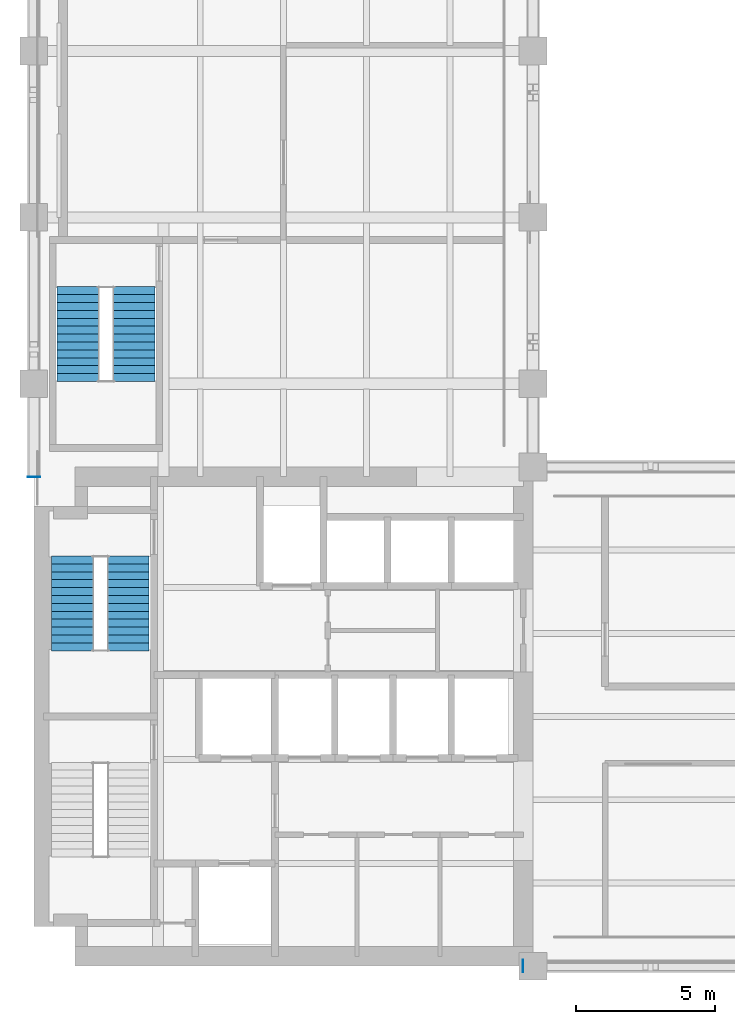
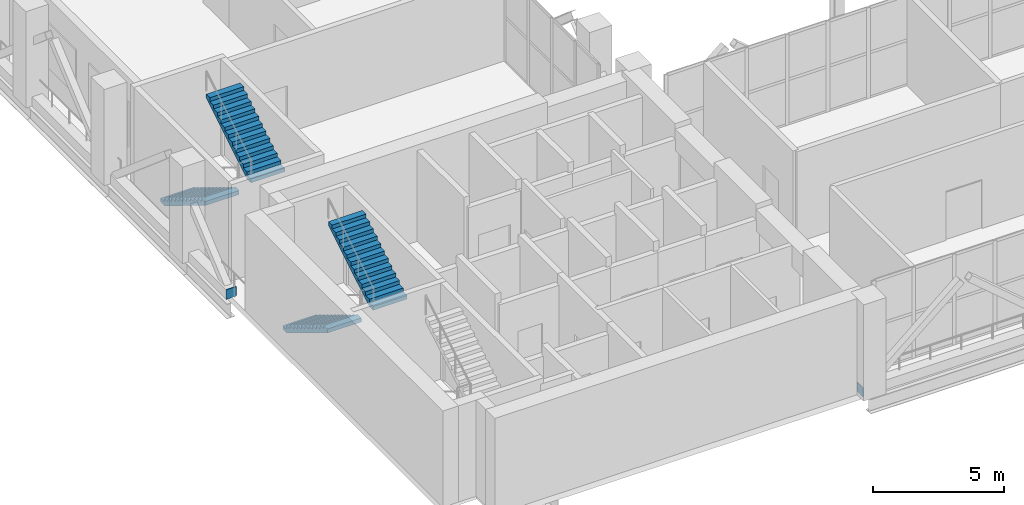
# One storey, part 25 of 27: 4 stair flights, 2 discrete accessories, 2 elements without a shape of their own.
"""IFC4 building model written with IfcOpenShell, lengths in metres."""

from ifc_helpers import new_model, si_unit, direction, frame, origin, origin_2d, place, context, subcontext, project, spatial, polyline, rectangle, outline, extrude, material, material_profile, profile_set, type_object, element, aggregate, save


model = new_model("IFC4")

# Units and contexts
model_context = context("Model", 3, precision=1e-05, world=origin(), true_north=direction((0.0, 1.0)))
body_context = subcontext(model_context, "Body", "Model", "MODEL_VIEW")
ifc_project = project(units=[si_unit("LENGTHUNIT", "METRE"), si_unit("AREAUNIT", "SQUARE_METRE"), si_unit("VOLUMEUNIT", "CUBIC_METRE"), si_unit("PLANEANGLEUNIT", "RADIAN"), si_unit("MASSUNIT", "GRAM", prefix="KILO")], contexts=[model_context])

# Site, building, storey
site_placement = place(None, origin())
site = spatial("IfcSite", under=ifc_project, at=site_placement, CompositionType="ELEMENT")
building_placement = place(site_placement, origin())
building = spatial("IfcBuilding", under=site, at=building_placement, Name="Mawjdan Bourse Tower", CompositionType="ELEMENT")
storey_placement = place(building_placement, frame((0.0, 0.0, 155.699951171875)))
storey = spatial("IfcBuildingStorey", under=building, at=storey_placement, Name="L37", CompositionType="ELEMENT", Elevation=155.699951171875)

# Stair, stair flights
ifc_material_1 = material(Name="Concrete C50/60", Category="concrete")
stair_type = type_object("IfcStairType", Name="STR-CORE-1500", PredefinedType="HALF_TURN_STAIR", material=ifc_material_1)
stair_1_placement = place(storey_placement, origin())
stair_1 = element("IfcStair", 1, at=stair_1_placement, inside=storey, type_object=stair_type, Name="L37 Exit Stair 2 (Core North-West)", PredefinedType="HALF_TURN_STAIR")
stair_flight_type = type_object("IfcStairFlightType", Name="SFL-RC-1500", PredefinedType="STRAIGHT", material=ifc_material_1)
stair_flight_1_placement = place(storey_placement, frame((7.389892578125, 17.7900390625, 0.0), z_axis=(0.0, 0.0, 1.0), x_axis=(0.0, -1.0, 0.0)))
stair_flight_1 = element("IfcStairFlight", 2, at=stair_flight_1_placement, type_object=stair_flight_type, Name="ST2-L37 flight 1", NumberOfRisers=13, NumberOfTreads=12, PredefinedType="STRAIGHT", RiserHeight=0.173077, TreadLength=0.285, context=body_context, shape_type="SweptSolid", body=[
    extrude(outline(polyline([(0.0, 0.0), (0.0, 0.173095703125), (0.284912109375, 0.173095703125), (0.284912109375, 0.34619140625), (0.570068359375, 0.34619140625), (0.570068359375, 0.519287109375), (0.85498046875, 0.519287109375), (0.85498046875, 0.6923828125), (1.139892578125, 0.6923828125), (1.139892578125, 0.865478515625), (1.425048828125, 0.865478515625), (1.425048828125, 1.03857421875), (1.7099609375, 1.03857421875), (1.7099609375, 1.21142578125), (1.9951171875, 1.21142578125), (1.9951171875, 1.384521484375), (2.280029296875, 1.384521484375), (2.280029296875, 1.5576171875), (2.56494140625, 1.5576171875), (2.56494140625, 1.730712890625), (2.85009765625, 1.730712890625), (2.85009765625, 1.90380859375), (3.135009765625, 1.90380859375), (3.135009765625, 2.076904296875), (3.419921875, 2.076904296875), (3.419921875, 2.25), (3.419921875, 1.889892578125), (0.30810546875, 0.0), (0.0, 0.0)])), frame((0.0, 0.75, 0.0), z_axis=(0.0, -1.0, 0.0), x_axis=(1.0, 0.0, 0.0)), (0.0, 0.0, 1.0), 1.5),
])
stair_flight_2_placement = place(storey_placement, frame((9.409912109375, 14.3701171875, 2.25), z_axis=(0.0, 0.0, 1.0), x_axis=(0.0, 1.0, 0.0)))
stair_flight_2 = element("IfcStairFlight", 3, at=stair_flight_2_placement, type_object=stair_flight_type, Name="ST2-L37 flight 2", NumberOfRisers=13, NumberOfTreads=12, PredefinedType="STRAIGHT", RiserHeight=0.173077, TreadLength=0.285, context=body_context, shape_type="SweptSolid", body=[
    extrude(outline(polyline([(0.0, 0.0), (0.0, 0.173095703125), (0.284912109375, 0.173095703125), (0.284912109375, 0.34619140625), (0.570068359375, 0.34619140625), (0.570068359375, 0.519287109375), (0.85498046875, 0.519287109375), (0.85498046875, 0.6923828125), (1.139892578125, 0.6923828125), (1.139892578125, 0.865478515625), (1.425048828125, 0.865478515625), (1.425048828125, 1.03857421875), (1.7099609375, 1.03857421875), (1.7099609375, 1.21142578125), (1.9951171875, 1.21142578125), (1.9951171875, 1.384521484375), (2.280029296875, 1.384521484375), (2.280029296875, 1.5576171875), (2.56494140625, 1.5576171875), (2.56494140625, 1.730712890625), (2.85009765625, 1.730712890625), (2.85009765625, 1.90380859375), (3.135009765625, 1.90380859375), (3.135009765625, 2.076904296875), (3.419921875, 2.076904296875), (3.419921875, 2.25), (3.419921875, 1.889892578125), (0.30810546875, 0.0), (0.0, 0.0)])), frame((0.0, 0.75, 0.0), z_axis=(0.0, -1.0, 0.0), x_axis=(1.0, 0.0, 0.0)), (0.0, 0.0, 1.0), 1.5),
])
aggregate(stair_1, [stair_flight_1, stair_flight_2])

stair_2_placement = place(storey_placement, origin())
stair_2 = element("IfcStair", 4, at=stair_2_placement, inside=storey, type_object=stair_type, Name="L37 Exit Stair 3 (North Wing)", PredefinedType="HALF_TURN_STAIR")
stair_flight_3_placement = place(storey_placement, frame((7.590087890625, 27.5, 0.0), z_axis=(0.0, 0.0, 1.0), x_axis=(0.0, -1.0, 0.0)))
stair_flight_3 = element("IfcStairFlight", 5, at=stair_flight_3_placement, type_object=stair_flight_type, Name="ST3-L37 flight 1", NumberOfRisers=13, NumberOfTreads=12, PredefinedType="STRAIGHT", RiserHeight=0.173077, TreadLength=0.285, context=body_context, shape_type="SweptSolid", body=[
    extrude(outline(polyline([(0.0, 0.0), (0.0, 0.173095703125), (0.284912109375, 0.173095703125), (0.284912109375, 0.34619140625), (0.570068359375, 0.34619140625), (0.570068359375, 0.519287109375), (0.85498046875, 0.519287109375), (0.85498046875, 0.6923828125), (1.139892578125, 0.6923828125), (1.139892578125, 0.865478515625), (1.425048828125, 0.865478515625), (1.425048828125, 1.03857421875), (1.7099609375, 1.03857421875), (1.7099609375, 1.21142578125), (1.9951171875, 1.21142578125), (1.9951171875, 1.384521484375), (2.280029296875, 1.384521484375), (2.280029296875, 1.5576171875), (2.56494140625, 1.5576171875), (2.56494140625, 1.730712890625), (2.85009765625, 1.730712890625), (2.85009765625, 1.90380859375), (3.135009765625, 1.90380859375), (3.135009765625, 2.076904296875), (3.419921875, 2.076904296875), (3.419921875, 2.25), (3.419921875, 1.889892578125), (0.30810546875, 0.0), (0.0, 0.0)])), frame((0.0, 0.75, 0.0), z_axis=(0.0, -1.0, 0.0), x_axis=(1.0, 0.0, 0.0)), (0.0, 0.0, 1.0), 1.5),
])
stair_flight_4_placement = place(storey_placement, frame((9.610107421875, 24.080078125, 2.25), z_axis=(0.0, 0.0, 1.0), x_axis=(0.0, 1.0, 0.0)))
stair_flight_4 = element("IfcStairFlight", 6, at=stair_flight_4_placement, type_object=stair_flight_type, Name="ST3-L37 flight 2", NumberOfRisers=13, NumberOfTreads=12, PredefinedType="STRAIGHT", RiserHeight=0.173077, TreadLength=0.285, context=body_context, shape_type="SweptSolid", body=[
    extrude(outline(polyline([(0.0, 0.0), (0.0, 0.173095703125), (0.284912109375, 0.173095703125), (0.284912109375, 0.34619140625), (0.570068359375, 0.34619140625), (0.570068359375, 0.519287109375), (0.85498046875, 0.519287109375), (0.85498046875, 0.6923828125), (1.139892578125, 0.6923828125), (1.139892578125, 0.865478515625), (1.425048828125, 0.865478515625), (1.425048828125, 1.03857421875), (1.7099609375, 1.03857421875), (1.7099609375, 1.21142578125), (1.9951171875, 1.21142578125), (1.9951171875, 1.384521484375), (2.280029296875, 1.384521484375), (2.280029296875, 1.5576171875), (2.56494140625, 1.5576171875), (2.56494140625, 1.730712890625), (2.85009765625, 1.730712890625), (2.85009765625, 1.90380859375), (3.135009765625, 1.90380859375), (3.135009765625, 2.076904296875), (3.419921875, 2.076904296875), (3.419921875, 2.25), (3.419921875, 1.889892578125), (0.30810546875, 0.0), (0.0, 0.0)])), frame((0.0, 0.75, 0.0), z_axis=(0.0, -1.0, 0.0), x_axis=(1.0, 0.0, 0.0)), (0.0, 0.0, 1.0), 1.5),
])
aggregate(stair_2, [stair_flight_3, stair_flight_4])

# Discrete accessories
ifc_material_2 = material(Name="Structural Steel S460", Category="steel")
ifc_material_profile = material_profile(ifc_material_2, rectangle(XDim=0.449951171875, YDim=0.449951171875, at=origin_2d()), Name="EPL-HSS450X450X16")
ifc_profile_set = profile_set([ifc_material_profile], Name="Structural Steel S460")
discrete_accessory_type = type_object("IfcDiscreteAccessoryType", Name="EPL-HSS450X450X16", PredefinedType="NOTDEFINED", material=ifc_profile_set)
for number, where, z_axis, x_axis, name in (
    (7, (23.64990234375, 3.0, 0.199951171875), (-1.0, 0.0, 0.0), (0.0, -1.0, 0.0), "L37 East Outrigger Truss 1 Chord End Plate 1"),
    (8, (6.0, 20.64990234375, 0.199951171875), (0.0, -1.0, 0.0), (1.0, 0.0, 0.0), "L37 North Outrigger Truss 1 Chord End Plate 1"),
):
    element("IfcDiscreteAccessory", number, at=place(storey_placement, frame(where, z_axis=z_axis, x_axis=x_axis)), inside=storey, type_object=discrete_accessory_type, Name=name, PredefinedType="NOTDEFINED", context=body_context, shape_type="SweptSolid", body=[
        extrude(rectangle(XDim=0.449951171875, YDim=0.449951171875, at=origin_2d()), origin(), (0.0, 0.0, 1.0), 0.02490234375),
    ])

save(model, "model.ifc")
